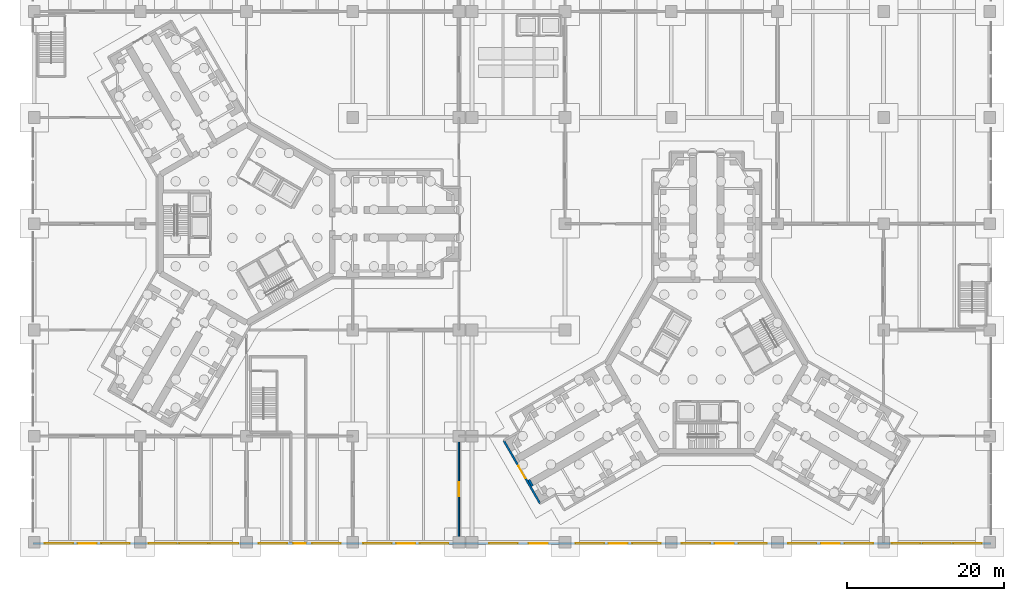
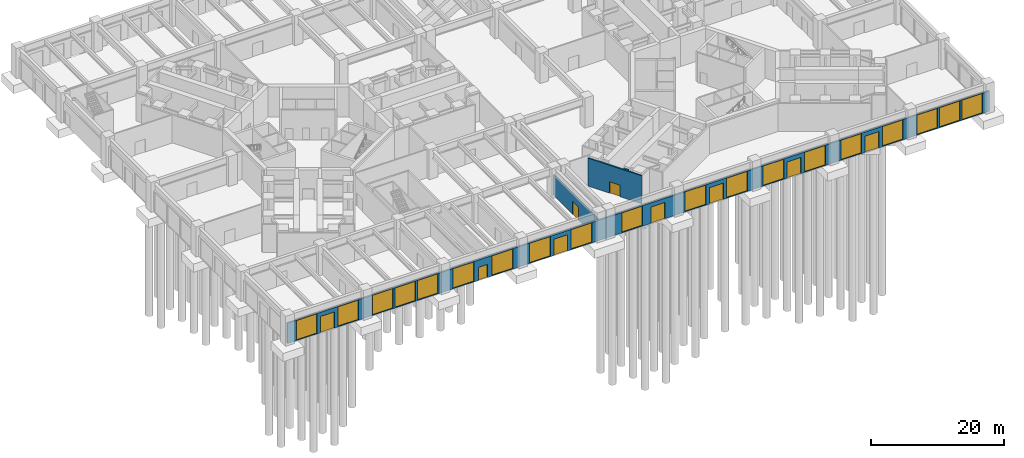
# One storey, part 6 of 18: 19 windows, 9 doors, 4 walls, 28 openings.
"""IFC4 building model written with IfcOpenShell, lengths in metres."""

from ifc_helpers import new_model, si_unit, direction, frame, frame_2d, origin, place, context, subcontext, project, spatial, rectangle, extrude, material, layer, layer_set, type_object, element, fill, save


model = new_model("IFC4")

# Units and contexts
model_context = context("Model", 3, precision=1e-05, world=origin(), true_north=direction((0.0, 1.0)))
body_context = subcontext(model_context, "Body", "Model", "MODEL_VIEW")
ifc_project = project(units=[si_unit("LENGTHUNIT", "METRE"), si_unit("AREAUNIT", "SQUARE_METRE"), si_unit("VOLUMEUNIT", "CUBIC_METRE"), si_unit("PLANEANGLEUNIT", "RADIAN"), si_unit("MASSUNIT", "GRAM", prefix="KILO")], contexts=[model_context])

# Site, building, storey
site_placement = place(None, origin())
site = spatial("IfcSite", under=ifc_project, at=site_placement, CompositionType="ELEMENT")
building_placement = place(site_placement, origin())
building = spatial("IfcBuilding", under=site, at=building_placement, Name="Upepo Twin Towers", CompositionType="ELEMENT")
storey_placement = place(building_placement, origin())
storey = spatial("IfcBuildingStorey", under=building, at=storey_placement, Name="L00", CompositionType="ELEMENT", Elevation=0.0)

# Wall
ifc_material_1 = material(Name="Dense concrete blockwork", Category="masonry")
ifc_layer_1 = layer(ifc_material_1, 0.89990234375)
ifc_layer_set_1 = layer_set([ifc_layer_1], Name="Buttress closer 900, blockwork with fire-stopping to the curtain wall")
wall_type_1 = type_object("IfcWallType", Name="Buttress closer 900, blockwork with fire-stopping to the curtain wall", PredefinedType="PARTITIONING", material=ifc_layer_set_1)
wall_1_placement = place(storey_placement, frame((36.252197265625, -32.865478515625, 0.0), z_axis=(0.0, 0.0, 1.0), x_axis=(-0.865778900179, -0.500426713919, 0.0)))
element("IfcWall", 1, at=wall_1_placement, inside=storey, type_object=wall_type_1, Name="T2 L00 wing B buttress closer L", PredefinedType="PARTITIONING", context=body_context, shape_type="SweptSolid", body=[
    extrude(rectangle(XDim=0.300048828125, YDim=0.89990234375, at=frame_2d((0.14990234375, 0.0))), origin(), (0.0, 0.0, 1.0), 5.14990234375),
])

# Wall, opening, door
ifc_material_2 = material(Name="Concrete blockwork", Category="masonry")
ifc_layer_2 = layer(ifc_material_2, 0.199951171875)
ifc_layer_set_2 = layer_set([ifc_layer_2], Name="Podium partition 200 blockwork")
wall_type_2 = type_object("IfcWallType", Name="Podium partition 200 blockwork", PredefinedType="PARTITIONING", material=ifc_layer_set_2)
wall_2_placement = place(storey_placement, frame((27.0, -40.5, 0.0), z_axis=(0.0, 0.0, 1.0), x_axis=(0.0, 1.0, 0.0)))
wall_2 = element("IfcWall", 2, at=wall_2_placement, inside=storey, type_object=wall_type_2, Name="L00 podium wall X40", PredefinedType="PARTITIONING", context=body_context, shape_type="SweptSolid", body=[
    extrude(rectangle(XDim=13.5, YDim=0.199951171875, at=frame_2d((6.75, 0.0))), origin(), (0.0, 0.0, 1.0), 3.75),
])
opening_1_placement = place(wall_2_placement, frame((5.85009765625, 0.0, 0.0)))
opening_1 = element("IfcOpeningElement", 3, at=opening_1_placement, cuts=wall_2, Name="Opening D10", PredefinedType="OPENING", context=body_context, shape_type="SweptSolid", body=[
    extrude(rectangle(XDim=1.800048828125, YDim=2.39990234375, at=frame_2d((0.89990234375, 1.199951171875))), frame((0.0, 0.10986328125, 0.0), z_axis=(0.0, -1.0, 0.0), x_axis=(1.0, 0.0, 0.0)), (0.0, 0.0, 1.0), 0.219970703125),
])
ifc_material_3 = material(Name="Timber doorset", Category="wood")
door_type_1 = type_object("IfcDoorType", Name="Podium double door 1800", OperationType="DOUBLE_DOOR_DOUBLE_SWING", PredefinedType="DOOR", material=ifc_material_3)
door_1_placement = place(opening_1_placement, origin())
door_1 = element("IfcDoor", 4, at=door_1_placement, inside=storey, type_object=door_type_1, Name="L00 students' union cafe door", OperationType="DOUBLE_DOOR_DOUBLE_SWING", OverallHeight=2.39990234375, OverallWidth=1.800048828125, PredefinedType="DOOR", context=body_context, shape_type="SweptSolid", body=[
    extrude(rectangle(XDim=1.800048828125, YDim=2.39990234375, at=frame_2d((0.89990234375, 1.199951171875))), frame((0.0, 0.02490234375, 0.0), z_axis=(0.0, -1.0, 0.0), x_axis=(1.0, 0.0, 0.0)), (0.0, 0.0, 1.0), 0.050048828125),
])
fill(opening_1, door_1)

# Wall, openings, doors, windows
ifc_material_4 = material(Name="Blockwork with anodised aluminium cladding", Category="masonry")
ifc_layer_3 = layer(ifc_material_4, 0.300048828125)
ifc_layer_set_3 = layer_set([ifc_layer_3], Name="Podium street wall 300, pale metal")
wall_type_3 = type_object("IfcWallType", Name="Podium street wall 300, pale metal", PredefinedType="STANDARD", material=ifc_layer_set_3)
wall_3_placement = place(storey_placement, frame((-27.14990234375, -40.64990234375, 0.0), z_axis=(0.0, 0.0, 1.0), x_axis=(1.0, 0.0, 0.0)))
wall_3 = element("IfcWall", 5, at=wall_3_placement, inside=storey, type_object=wall_type_3, Name="Podium street wall S", PredefinedType="STANDARD", context=body_context, shape_type="SweptSolid", body=[
    extrude(rectangle(XDim=121.7998046875, YDim=0.300048828125, at=frame_2d((60.89990234375, 0.0))), origin(), (0.0, 0.0, 1.0), 3.75),
])
opening_2_placement = place(wall_3_placement, frame((1.5, 0.0, 0.10009765625)))
opening_2 = element("IfcOpeningElement", 6, at=opening_2_placement, cuts=wall_3, Name="Opening W1", PredefinedType="OPENING", context=body_context, shape_type="SweptSolid", body=[
    extrude(rectangle(XDim=3.60009765625, YDim=3.60009765625, at=frame_2d((1.800048828125, 1.800048828125))), frame((0.0, 0.159912109375, 0.0), z_axis=(0.0, -1.0, 0.0), x_axis=(1.0, 0.0, 0.0)), (0.0, 0.0, 1.0), 0.320068359375),
])
opening_3_placement = place(wall_3_placement, frame((5.699951171875, 0.0, 0.0)))
opening_3 = element("IfcOpeningElement", 7, at=opening_3_placement, cuts=wall_3, Name="Opening D7", PredefinedType="OPENING", context=body_context, shape_type="SweptSolid", body=[
    extrude(rectangle(XDim=2.39990234375, YDim=3.0, at=frame_2d((1.199951171875, 1.5))), frame((0.0, 0.159912109375, 0.0), z_axis=(0.0, -1.0, 0.0), x_axis=(1.0, 0.0, 0.0)), (0.0, 0.0, 1.0), 0.320068359375),
])
opening_4_placement = place(wall_3_placement, frame((8.699951171875, 0.0, 0.10009765625)))
opening_4 = element("IfcOpeningElement", 8, at=opening_4_placement, cuts=wall_3, Name="Opening W1", PredefinedType="OPENING", context=body_context, shape_type="SweptSolid", body=[
    extrude(rectangle(XDim=3.60009765625, YDim=3.60009765625, at=frame_2d((1.800048828125, 1.800048828125))), frame((0.0, 0.159912109375, 0.0), z_axis=(0.0, -1.0, 0.0), x_axis=(1.0, 0.0, 0.0)), (0.0, 0.0, 1.0), 0.320068359375),
])
opening_5_placement = place(wall_3_placement, frame((14.699951171875, 0.0, 0.10009765625)))
opening_5 = element("IfcOpeningElement", 9, at=opening_5_placement, cuts=wall_3, Name="Opening W1", PredefinedType="OPENING", context=body_context, shape_type="SweptSolid", body=[
    extrude(rectangle(XDim=3.60009765625, YDim=3.60009765625, at=frame_2d((1.800048828125, 1.800048828125))), frame((0.0, 0.159912109375, 0.0), z_axis=(0.0, -1.0, 0.0), x_axis=(1.0, 0.0, 0.0)), (0.0, 0.0, 1.0), 0.320068359375),
])
opening_6_placement = place(wall_3_placement, frame((18.60009765625, 0.0, 0.10009765625)))
opening_6 = element("IfcOpeningElement", 10, at=opening_6_placement, cuts=wall_3, Name="Opening W1", PredefinedType="OPENING", context=body_context, shape_type="SweptSolid", body=[
    extrude(rectangle(XDim=3.60009765625, YDim=3.60009765625, at=frame_2d((1.800048828125, 1.800048828125))), frame((0.0, 0.159912109375, 0.0), z_axis=(0.0, -1.0, 0.0), x_axis=(1.0, 0.0, 0.0)), (0.0, 0.0, 1.0), 0.320068359375),
])
opening_7_placement = place(wall_3_placement, frame((22.5, 0.0, 0.10009765625)))
opening_7 = element("IfcOpeningElement", 11, at=opening_7_placement, cuts=wall_3, Name="Opening W1", PredefinedType="OPENING", context=body_context, shape_type="SweptSolid", body=[
    extrude(rectangle(XDim=3.60009765625, YDim=3.60009765625, at=frame_2d((1.800048828125, 1.800048828125))), frame((0.0, 0.159912109375, 0.0), z_axis=(0.0, -1.0, 0.0), x_axis=(1.0, 0.0, 0.0)), (0.0, 0.0, 1.0), 0.320068359375),
])
opening_8_placement = place(wall_3_placement, frame((28.699951171875, 0.0, 0.10009765625)))
opening_8 = element("IfcOpeningElement", 12, at=opening_8_placement, cuts=wall_3, Name="Opening W1", PredefinedType="OPENING", context=body_context, shape_type="SweptSolid", body=[
    extrude(rectangle(XDim=3.60009765625, YDim=3.60009765625, at=frame_2d((1.800048828125, 1.800048828125))), frame((0.0, 0.159912109375, 0.0), z_axis=(0.0, -1.0, 0.0), x_axis=(1.0, 0.0, 0.0)), (0.0, 0.0, 1.0), 0.320068359375),
])
opening_9_placement = place(wall_3_placement, frame((33.10009765625, 0.0, 0.0)))
opening_9 = element("IfcOpeningElement", 13, at=opening_9_placement, cuts=wall_3, Name="Opening D16", PredefinedType="OPENING", context=body_context, shape_type="SweptSolid", body=[
    extrude(rectangle(XDim=1.60009765625, YDim=2.39990234375, at=frame_2d((0.800048828125, 1.199951171875))), frame((0.0, 0.159912109375, 0.0), z_axis=(0.0, -1.0, 0.0), x_axis=(1.0, 0.0, 0.0)), (0.0, 0.0, 1.0), 0.320068359375),
])
opening_10_placement = place(wall_3_placement, frame((35.5, 0.0, 0.10009765625)))
opening_10 = element("IfcOpeningElement", 14, at=opening_10_placement, cuts=wall_3, Name="Opening W1", PredefinedType="OPENING", context=body_context, shape_type="SweptSolid", body=[
    extrude(rectangle(XDim=3.60009765625, YDim=3.60009765625, at=frame_2d((1.800048828125, 1.800048828125))), frame((0.0, 0.159912109375, 0.0), z_axis=(0.0, -1.0, 0.0), x_axis=(1.0, 0.0, 0.0)), (0.0, 0.0, 1.0), 0.320068359375),
])
opening_11_placement = place(wall_3_placement, frame((42.0, 0.0, 0.10009765625)))
opening_11 = element("IfcOpeningElement", 15, at=opening_11_placement, cuts=wall_3, Name="Opening W1", PredefinedType="OPENING", context=body_context, shape_type="SweptSolid", body=[
    extrude(rectangle(XDim=3.60009765625, YDim=3.60009765625, at=frame_2d((1.800048828125, 1.800048828125))), frame((0.0, 0.159912109375, 0.0), z_axis=(0.0, -1.0, 0.0), x_axis=(1.0, 0.0, 0.0)), (0.0, 0.0, 1.0), 0.320068359375),
])
opening_12_placement = place(wall_3_placement, frame((46.199951171875, 0.0, 0.0)))
opening_12 = element("IfcOpeningElement", 16, at=opening_12_placement, cuts=wall_3, Name="Opening D7", PredefinedType="OPENING", context=body_context, shape_type="SweptSolid", body=[
    extrude(rectangle(XDim=2.39990234375, YDim=3.0, at=frame_2d((1.199951171875, 1.5))), frame((0.0, 0.159912109375, 0.0), z_axis=(0.0, -1.0, 0.0), x_axis=(1.0, 0.0, 0.0)), (0.0, 0.0, 1.0), 0.320068359375),
])
opening_13_placement = place(wall_3_placement, frame((49.199951171875, 0.0, 0.10009765625)))
opening_13 = element("IfcOpeningElement", 17, at=opening_13_placement, cuts=wall_3, Name="Opening W1", PredefinedType="OPENING", context=body_context, shape_type="SweptSolid", body=[
    extrude(rectangle(XDim=3.60009765625, YDim=3.60009765625, at=frame_2d((1.800048828125, 1.800048828125))), frame((0.0, 0.159912109375, 0.0), z_axis=(0.0, -1.0, 0.0), x_axis=(1.0, 0.0, 0.0)), (0.0, 0.0, 1.0), 0.320068359375),
])
opening_14_placement = place(wall_3_placement, frame((58.0, 0.0, 0.10009765625)))
opening_14 = element("IfcOpeningElement", 18, at=opening_14_placement, cuts=wall_3, Name="Opening W1", PredefinedType="OPENING", context=body_context, shape_type="SweptSolid", body=[
    extrude(rectangle(XDim=3.60009765625, YDim=3.60009765625, at=frame_2d((1.800048828125, 1.800048828125))), frame((0.0, 0.159912109375, 0.0), z_axis=(0.0, -1.0, 0.0), x_axis=(1.0, 0.0, 0.0)), (0.0, 0.0, 1.0), 0.320068359375),
])
opening_15_placement = place(wall_3_placement, frame((63.050048828125, 0.0, 0.0)))
opening_15 = element("IfcOpeningElement", 19, at=opening_15_placement, cuts=wall_3, Name="Opening D7", PredefinedType="OPENING", context=body_context, shape_type="SweptSolid", body=[
    extrude(rectangle(XDim=2.39990234375, YDim=3.0, at=frame_2d((1.199951171875, 1.5))), frame((0.0, 0.159912109375, 0.0), z_axis=(0.0, -1.0, 0.0), x_axis=(1.0, 0.0, 0.0)), (0.0, 0.0, 1.0), 0.320068359375),
])
opening_16_placement = place(wall_3_placement, frame((69.0, 0.0, 0.10009765625)))
opening_16 = element("IfcOpeningElement", 20, at=opening_16_placement, cuts=wall_3, Name="Opening W1", PredefinedType="OPENING", context=body_context, shape_type="SweptSolid", body=[
    extrude(rectangle(XDim=3.60009765625, YDim=3.60009765625, at=frame_2d((1.800048828125, 1.800048828125))), frame((0.0, 0.159912109375, 0.0), z_axis=(0.0, -1.0, 0.0), x_axis=(1.0, 0.0, 0.0)), (0.0, 0.0, 1.0), 0.320068359375),
])
opening_17_placement = place(wall_3_placement, frame((73.199951171875, 0.0, 0.0)))
opening_17 = element("IfcOpeningElement", 21, at=opening_17_placement, cuts=wall_3, Name="Opening D7", PredefinedType="OPENING", context=body_context, shape_type="SweptSolid", body=[
    extrude(rectangle(XDim=2.39990234375, YDim=3.0, at=frame_2d((1.199951171875, 1.5))), frame((0.0, 0.159912109375, 0.0), z_axis=(0.0, -1.0, 0.0), x_axis=(1.0, 0.0, 0.0)), (0.0, 0.0, 1.0), 0.320068359375),
])
opening_18_placement = place(wall_3_placement, frame((76.199951171875, 0.0, 0.10009765625)))
opening_18 = element("IfcOpeningElement", 22, at=opening_18_placement, cuts=wall_3, Name="Opening W1", PredefinedType="OPENING", context=body_context, shape_type="SweptSolid", body=[
    extrude(rectangle(XDim=3.60009765625, YDim=3.60009765625, at=frame_2d((1.800048828125, 1.800048828125))), frame((0.0, 0.159912109375, 0.0), z_axis=(0.0, -1.0, 0.0), x_axis=(1.0, 0.0, 0.0)), (0.0, 0.0, 1.0), 0.320068359375),
])
opening_19_placement = place(wall_3_placement, frame((82.5, 0.0, 0.10009765625)))
opening_19 = element("IfcOpeningElement", 23, at=opening_19_placement, cuts=wall_3, Name="Opening W1", PredefinedType="OPENING", context=body_context, shape_type="SweptSolid", body=[
    extrude(rectangle(XDim=3.60009765625, YDim=3.60009765625, at=frame_2d((1.800048828125, 1.800048828125))), frame((0.0, 0.159912109375, 0.0), z_axis=(0.0, -1.0, 0.0), x_axis=(1.0, 0.0, 0.0)), (0.0, 0.0, 1.0), 0.320068359375),
])
opening_20_placement = place(wall_3_placement, frame((86.699951171875, 0.0, 0.0)))
opening_20 = element("IfcOpeningElement", 24, at=opening_20_placement, cuts=wall_3, Name="Opening D7", PredefinedType="OPENING", context=body_context, shape_type="SweptSolid", body=[
    extrude(rectangle(XDim=2.39990234375, YDim=3.0, at=frame_2d((1.199951171875, 1.5))), frame((0.0, 0.159912109375, 0.0), z_axis=(0.0, -1.0, 0.0), x_axis=(1.0, 0.0, 0.0)), (0.0, 0.0, 1.0), 0.320068359375),
])
opening_21_placement = place(wall_3_placement, frame((89.699951171875, 0.0, 0.10009765625)))
opening_21 = element("IfcOpeningElement", 25, at=opening_21_placement, cuts=wall_3, Name="Opening W1", PredefinedType="OPENING", context=body_context, shape_type="SweptSolid", body=[
    extrude(rectangle(XDim=3.60009765625, YDim=3.60009765625, at=frame_2d((1.800048828125, 1.800048828125))), frame((0.0, 0.159912109375, 0.0), z_axis=(0.0, -1.0, 0.0), x_axis=(1.0, 0.0, 0.0)), (0.0, 0.0, 1.0), 0.320068359375),
])
opening_22_placement = place(wall_3_placement, frame((96.0, 0.0, 0.10009765625)))
opening_22 = element("IfcOpeningElement", 26, at=opening_22_placement, cuts=wall_3, Name="Opening W1", PredefinedType="OPENING", context=body_context, shape_type="SweptSolid", body=[
    extrude(rectangle(XDim=3.60009765625, YDim=3.60009765625, at=frame_2d((1.800048828125, 1.800048828125))), frame((0.0, 0.159912109375, 0.0), z_axis=(0.0, -1.0, 0.0), x_axis=(1.0, 0.0, 0.0)), (0.0, 0.0, 1.0), 0.320068359375),
])
opening_23_placement = place(wall_3_placement, frame((100.199951171875, 0.0, 0.0)))
opening_23 = element("IfcOpeningElement", 27, at=opening_23_placement, cuts=wall_3, Name="Opening D7", PredefinedType="OPENING", context=body_context, shape_type="SweptSolid", body=[
    extrude(rectangle(XDim=2.39990234375, YDim=3.0, at=frame_2d((1.199951171875, 1.5))), frame((0.0, 0.159912109375, 0.0), z_axis=(0.0, -1.0, 0.0), x_axis=(1.0, 0.0, 0.0)), (0.0, 0.0, 1.0), 0.320068359375),
])
opening_24_placement = place(wall_3_placement, frame((103.199951171875, 0.0, 0.10009765625)))
opening_24 = element("IfcOpeningElement", 28, at=opening_24_placement, cuts=wall_3, Name="Opening W1", PredefinedType="OPENING", context=body_context, shape_type="SweptSolid", body=[
    extrude(rectangle(XDim=3.60009765625, YDim=3.60009765625, at=frame_2d((1.800048828125, 1.800048828125))), frame((0.0, 0.159912109375, 0.0), z_axis=(0.0, -1.0, 0.0), x_axis=(1.0, 0.0, 0.0)), (0.0, 0.0, 1.0), 0.320068359375),
])
opening_25_placement = place(wall_3_placement, frame((109.199951171875, 0.0, 0.10009765625)))
opening_25 = element("IfcOpeningElement", 29, at=opening_25_placement, cuts=wall_3, Name="Opening W1", PredefinedType="OPENING", context=body_context, shape_type="SweptSolid", body=[
    extrude(rectangle(XDim=3.60009765625, YDim=3.60009765625, at=frame_2d((1.800048828125, 1.800048828125))), frame((0.0, 0.159912109375, 0.0), z_axis=(0.0, -1.0, 0.0), x_axis=(1.0, 0.0, 0.0)), (0.0, 0.0, 1.0), 0.320068359375),
])
opening_26_placement = place(wall_3_placement, frame((113.10009765625, 0.0, 0.10009765625)))
opening_26 = element("IfcOpeningElement", 30, at=opening_26_placement, cuts=wall_3, Name="Opening W1", PredefinedType="OPENING", context=body_context, shape_type="SweptSolid", body=[
    extrude(rectangle(XDim=3.60009765625, YDim=3.60009765625, at=frame_2d((1.800048828125, 1.800048828125))), frame((0.0, 0.159912109375, 0.0), z_axis=(0.0, -1.0, 0.0), x_axis=(1.0, 0.0, 0.0)), (0.0, 0.0, 1.0), 0.320068359375),
])
opening_27_placement = place(wall_3_placement, frame((117.0, 0.0, 0.10009765625)))
opening_27 = element("IfcOpeningElement", 31, at=opening_27_placement, cuts=wall_3, Name="Opening W1", PredefinedType="OPENING", context=body_context, shape_type="SweptSolid", body=[
    extrude(rectangle(XDim=3.60009765625, YDim=3.60009765625, at=frame_2d((1.800048828125, 1.800048828125))), frame((0.0, 0.159912109375, 0.0), z_axis=(0.0, -1.0, 0.0), x_axis=(1.0, 0.0, 0.0)), (0.0, 0.0, 1.0), 0.320068359375),
])
ifc_material_5 = material(Name="Aluminium glazed doorset", Category="aluminium")
door_type_2 = type_object("IfcDoorType", Name="Entrance door 2400 glazed", OperationType="DOUBLE_DOOR_DOUBLE_SWING", PredefinedType="DOOR", material=ifc_material_5)
door_2_placement = place(opening_3_placement, origin())
door_2 = element("IfcDoor", 32, at=door_2_placement, inside=storey, type_object=door_type_2, Name="Entrance door S1", OperationType="DOUBLE_DOOR_DOUBLE_SWING", OverallHeight=3.0, OverallWidth=2.39990234375, PredefinedType="DOOR", context=body_context, shape_type="SweptSolid", body=[
    extrude(rectangle(XDim=2.39990234375, YDim=3.0, at=frame_2d((1.199951171875, 1.5))), frame((0.0, 0.02490234375, 0.0), z_axis=(0.0, -1.0, 0.0), x_axis=(1.0, 0.0, 0.0)), (0.0, 0.0, 1.0), 0.050048828125),
])
fill(opening_3, door_2)
door_3_placement = place(opening_12_placement, origin())
door_3 = element("IfcDoor", 33, at=door_3_placement, inside=storey, type_object=door_type_2, Name="Entrance door S4", OperationType="DOUBLE_DOOR_DOUBLE_SWING", OverallHeight=3.0, OverallWidth=2.39990234375, PredefinedType="DOOR", context=body_context, shape_type="SweptSolid", body=[
    extrude(rectangle(XDim=2.39990234375, YDim=3.0, at=frame_2d((1.199951171875, 1.5))), frame((0.0, 0.02490234375, 0.0), z_axis=(0.0, -1.0, 0.0), x_axis=(1.0, 0.0, 0.0)), (0.0, 0.0, 1.0), 0.050048828125),
])
fill(opening_12, door_3)
door_4_placement = place(opening_15_placement, origin())
door_4 = element("IfcDoor", 34, at=door_4_placement, inside=storey, type_object=door_type_2, Name="Entrance door S5.2", OperationType="DOUBLE_DOOR_DOUBLE_SWING", OverallHeight=3.0, OverallWidth=2.39990234375, PredefinedType="DOOR", context=body_context, shape_type="SweptSolid", body=[
    extrude(rectangle(XDim=2.39990234375, YDim=3.0, at=frame_2d((1.199951171875, 1.5))), frame((0.0, 0.02490234375, 0.0), z_axis=(0.0, -1.0, 0.0), x_axis=(1.0, 0.0, 0.0)), (0.0, 0.0, 1.0), 0.050048828125),
])
fill(opening_15, door_4)
door_5_placement = place(opening_17_placement, origin())
door_5 = element("IfcDoor", 35, at=door_5_placement, inside=storey, type_object=door_type_2, Name="Entrance door S6", OperationType="DOUBLE_DOOR_DOUBLE_SWING", OverallHeight=3.0, OverallWidth=2.39990234375, PredefinedType="DOOR", context=body_context, shape_type="SweptSolid", body=[
    extrude(rectangle(XDim=2.39990234375, YDim=3.0, at=frame_2d((1.199951171875, 1.5))), frame((0.0, 0.02490234375, 0.0), z_axis=(0.0, -1.0, 0.0), x_axis=(1.0, 0.0, 0.0)), (0.0, 0.0, 1.0), 0.050048828125),
])
fill(opening_17, door_5)
door_6_placement = place(opening_20_placement, origin())
door_6 = element("IfcDoor", 36, at=door_6_placement, inside=storey, type_object=door_type_2, Name="Entrance door S7", OperationType="DOUBLE_DOOR_DOUBLE_SWING", OverallHeight=3.0, OverallWidth=2.39990234375, PredefinedType="DOOR", context=body_context, shape_type="SweptSolid", body=[
    extrude(rectangle(XDim=2.39990234375, YDim=3.0, at=frame_2d((1.199951171875, 1.5))), frame((0.0, 0.02490234375, 0.0), z_axis=(0.0, -1.0, 0.0), x_axis=(1.0, 0.0, 0.0)), (0.0, 0.0, 1.0), 0.050048828125),
])
fill(opening_20, door_6)
door_7_placement = place(opening_23_placement, origin())
door_7 = element("IfcDoor", 37, at=door_7_placement, inside=storey, type_object=door_type_2, Name="Entrance door S8", OperationType="DOUBLE_DOOR_DOUBLE_SWING", OverallHeight=3.0, OverallWidth=2.39990234375, PredefinedType="DOOR", context=body_context, shape_type="SweptSolid", body=[
    extrude(rectangle(XDim=2.39990234375, YDim=3.0, at=frame_2d((1.199951171875, 1.5))), frame((0.0, 0.02490234375, 0.0), z_axis=(0.0, -1.0, 0.0), x_axis=(1.0, 0.0, 0.0)), (0.0, 0.0, 1.0), 0.050048828125),
])
fill(opening_23, door_7)
ifc_material_6 = material(Name="Aluminium and clear glass", Category="aluminium")
window_type = type_object("IfcWindowType", Name="Shopfront window 3600x3600", PartitioningType="DOUBLE_PANEL_VERTICAL", PredefinedType="WINDOW", material=ifc_material_6)
window_1_placement = place(opening_2_placement, origin())
window_1 = element("IfcWindow", 38, at=window_1_placement, inside=storey, type_object=window_type, Name="Shopfront window S1.1", OverallHeight=3.60009765625, OverallWidth=3.60009765625, PartitioningType="SINGLE_PANEL", PredefinedType="WINDOW", context=body_context, shape_type="SweptSolid", body=[
    extrude(rectangle(XDim=3.60009765625, YDim=3.60009765625, at=frame_2d((1.800048828125, 1.800048828125))), frame((0.0, 0.030029296875, 0.0), z_axis=(0.0, -1.0, 0.0), x_axis=(1.0, 0.0, 0.0)), (0.0, 0.0, 1.0), 0.06005859375),
])
fill(opening_2, window_1)
window_2_placement = place(opening_4_placement, origin())
window_2 = element("IfcWindow", 39, at=window_2_placement, inside=storey, type_object=window_type, Name="Shopfront window S1.3", OverallHeight=3.60009765625, OverallWidth=3.60009765625, PartitioningType="SINGLE_PANEL", PredefinedType="WINDOW", context=body_context, shape_type="SweptSolid", body=[
    extrude(rectangle(XDim=3.60009765625, YDim=3.60009765625, at=frame_2d((1.800048828125, 1.800048828125))), frame((0.0, 0.030029296875, 0.0), z_axis=(0.0, -1.0, 0.0), x_axis=(1.0, 0.0, 0.0)), (0.0, 0.0, 1.0), 0.06005859375),
])
fill(opening_4, window_2)
window_3_placement = place(opening_5_placement, origin())
window_3 = element("IfcWindow", 40, at=window_3_placement, inside=storey, type_object=window_type, Name="Shopfront window S2.1", OverallHeight=3.60009765625, OverallWidth=3.60009765625, PartitioningType="SINGLE_PANEL", PredefinedType="WINDOW", context=body_context, shape_type="SweptSolid", body=[
    extrude(rectangle(XDim=3.60009765625, YDim=3.60009765625, at=frame_2d((1.800048828125, 1.800048828125))), frame((0.0, 0.030029296875, 0.0), z_axis=(0.0, -1.0, 0.0), x_axis=(1.0, 0.0, 0.0)), (0.0, 0.0, 1.0), 0.06005859375),
])
fill(opening_5, window_3)
window_4_placement = place(opening_6_placement, origin())
window_4 = element("IfcWindow", 41, at=window_4_placement, inside=storey, type_object=window_type, Name="Shopfront window S2.2", OverallHeight=3.60009765625, OverallWidth=3.60009765625, PartitioningType="SINGLE_PANEL", PredefinedType="WINDOW", context=body_context, shape_type="SweptSolid", body=[
    extrude(rectangle(XDim=3.60009765625, YDim=3.60009765625, at=frame_2d((1.800048828125, 1.800048828125))), frame((0.0, 0.030029296875, 0.0), z_axis=(0.0, -1.0, 0.0), x_axis=(1.0, 0.0, 0.0)), (0.0, 0.0, 1.0), 0.06005859375),
])
fill(opening_6, window_4)
window_5_placement = place(opening_7_placement, origin())
window_5 = element("IfcWindow", 42, at=window_5_placement, inside=storey, type_object=window_type, Name="Shopfront window S2.3", OverallHeight=3.60009765625, OverallWidth=3.60009765625, PartitioningType="SINGLE_PANEL", PredefinedType="WINDOW", context=body_context, shape_type="SweptSolid", body=[
    extrude(rectangle(XDim=3.60009765625, YDim=3.60009765625, at=frame_2d((1.800048828125, 1.800048828125))), frame((0.0, 0.030029296875, 0.0), z_axis=(0.0, -1.0, 0.0), x_axis=(1.0, 0.0, 0.0)), (0.0, 0.0, 1.0), 0.06005859375),
])
fill(opening_7, window_5)
window_6_placement = place(opening_8_placement, origin())
window_6 = element("IfcWindow", 43, at=window_6_placement, inside=storey, type_object=window_type, Name="Shopfront window S3.1", OverallHeight=3.60009765625, OverallWidth=3.60009765625, PartitioningType="SINGLE_PANEL", PredefinedType="WINDOW", context=body_context, shape_type="SweptSolid", body=[
    extrude(rectangle(XDim=3.60009765625, YDim=3.60009765625, at=frame_2d((1.800048828125, 1.800048828125))), frame((0.0, 0.030029296875, 0.0), z_axis=(0.0, -1.0, 0.0), x_axis=(1.0, 0.0, 0.0)), (0.0, 0.0, 1.0), 0.06005859375),
])
fill(opening_8, window_6)
window_7_placement = place(opening_10_placement, origin())
window_7 = element("IfcWindow", 44, at=window_7_placement, inside=storey, type_object=window_type, Name="Shopfront window S3.3", OverallHeight=3.60009765625, OverallWidth=3.60009765625, PartitioningType="SINGLE_PANEL", PredefinedType="WINDOW", context=body_context, shape_type="SweptSolid", body=[
    extrude(rectangle(XDim=3.60009765625, YDim=3.60009765625, at=frame_2d((1.800048828125, 1.800048828125))), frame((0.0, 0.030029296875, 0.0), z_axis=(0.0, -1.0, 0.0), x_axis=(1.0, 0.0, 0.0)), (0.0, 0.0, 1.0), 0.06005859375),
])
fill(opening_10, window_7)
window_8_placement = place(opening_11_placement, origin())
window_8 = element("IfcWindow", 45, at=window_8_placement, inside=storey, type_object=window_type, Name="Shopfront window S4.1", OverallHeight=3.60009765625, OverallWidth=3.60009765625, PartitioningType="SINGLE_PANEL", PredefinedType="WINDOW", context=body_context, shape_type="SweptSolid", body=[
    extrude(rectangle(XDim=3.60009765625, YDim=3.60009765625, at=frame_2d((1.800048828125, 1.800048828125))), frame((0.0, 0.030029296875, 0.0), z_axis=(0.0, -1.0, 0.0), x_axis=(1.0, 0.0, 0.0)), (0.0, 0.0, 1.0), 0.06005859375),
])
fill(opening_11, window_8)
window_9_placement = place(opening_13_placement, origin())
window_9 = element("IfcWindow", 46, at=window_9_placement, inside=storey, type_object=window_type, Name="Shopfront window S4.3", OverallHeight=3.60009765625, OverallWidth=3.60009765625, PartitioningType="SINGLE_PANEL", PredefinedType="WINDOW", context=body_context, shape_type="SweptSolid", body=[
    extrude(rectangle(XDim=3.60009765625, YDim=3.60009765625, at=frame_2d((1.800048828125, 1.800048828125))), frame((0.0, 0.030029296875, 0.0), z_axis=(0.0, -1.0, 0.0), x_axis=(1.0, 0.0, 0.0)), (0.0, 0.0, 1.0), 0.06005859375),
])
fill(opening_13, window_9)
window_10_placement = place(opening_14_placement, origin())
window_10 = element("IfcWindow", 47, at=window_10_placement, inside=storey, type_object=window_type, Name="Shopfront window S5.1", OverallHeight=3.60009765625, OverallWidth=3.60009765625, PartitioningType="SINGLE_PANEL", PredefinedType="WINDOW", context=body_context, shape_type="SweptSolid", body=[
    extrude(rectangle(XDim=3.60009765625, YDim=3.60009765625, at=frame_2d((1.800048828125, 1.800048828125))), frame((0.0, 0.030029296875, 0.0), z_axis=(0.0, -1.0, 0.0), x_axis=(1.0, 0.0, 0.0)), (0.0, 0.0, 1.0), 0.06005859375),
])
fill(opening_14, window_10)
window_11_placement = place(opening_16_placement, origin())
window_11 = element("IfcWindow", 48, at=window_11_placement, inside=storey, type_object=window_type, Name="Shopfront window S6.1", OverallHeight=3.60009765625, OverallWidth=3.60009765625, PartitioningType="SINGLE_PANEL", PredefinedType="WINDOW", context=body_context, shape_type="SweptSolid", body=[
    extrude(rectangle(XDim=3.60009765625, YDim=3.60009765625, at=frame_2d((1.800048828125, 1.800048828125))), frame((0.0, 0.030029296875, 0.0), z_axis=(0.0, -1.0, 0.0), x_axis=(1.0, 0.0, 0.0)), (0.0, 0.0, 1.0), 0.06005859375),
])
fill(opening_16, window_11)
window_12_placement = place(opening_18_placement, origin())
window_12 = element("IfcWindow", 49, at=window_12_placement, inside=storey, type_object=window_type, Name="Shopfront window S6.3", OverallHeight=3.60009765625, OverallWidth=3.60009765625, PartitioningType="SINGLE_PANEL", PredefinedType="WINDOW", context=body_context, shape_type="SweptSolid", body=[
    extrude(rectangle(XDim=3.60009765625, YDim=3.60009765625, at=frame_2d((1.800048828125, 1.800048828125))), frame((0.0, 0.030029296875, 0.0), z_axis=(0.0, -1.0, 0.0), x_axis=(1.0, 0.0, 0.0)), (0.0, 0.0, 1.0), 0.06005859375),
])
fill(opening_18, window_12)
window_13_placement = place(opening_19_placement, origin())
window_13 = element("IfcWindow", 50, at=window_13_placement, inside=storey, type_object=window_type, Name="Shopfront window S7.1", OverallHeight=3.60009765625, OverallWidth=3.60009765625, PartitioningType="SINGLE_PANEL", PredefinedType="WINDOW", context=body_context, shape_type="SweptSolid", body=[
    extrude(rectangle(XDim=3.60009765625, YDim=3.60009765625, at=frame_2d((1.800048828125, 1.800048828125))), frame((0.0, 0.030029296875, 0.0), z_axis=(0.0, -1.0, 0.0), x_axis=(1.0, 0.0, 0.0)), (0.0, 0.0, 1.0), 0.06005859375),
])
fill(opening_19, window_13)
window_14_placement = place(opening_21_placement, origin())
window_14 = element("IfcWindow", 51, at=window_14_placement, inside=storey, type_object=window_type, Name="Shopfront window S7.3", OverallHeight=3.60009765625, OverallWidth=3.60009765625, PartitioningType="SINGLE_PANEL", PredefinedType="WINDOW", context=body_context, shape_type="SweptSolid", body=[
    extrude(rectangle(XDim=3.60009765625, YDim=3.60009765625, at=frame_2d((1.800048828125, 1.800048828125))), frame((0.0, 0.030029296875, 0.0), z_axis=(0.0, -1.0, 0.0), x_axis=(1.0, 0.0, 0.0)), (0.0, 0.0, 1.0), 0.06005859375),
])
fill(opening_21, window_14)
window_15_placement = place(opening_22_placement, origin())
window_15 = element("IfcWindow", 52, at=window_15_placement, inside=storey, type_object=window_type, Name="Shopfront window S8.1", OverallHeight=3.60009765625, OverallWidth=3.60009765625, PartitioningType="SINGLE_PANEL", PredefinedType="WINDOW", context=body_context, shape_type="SweptSolid", body=[
    extrude(rectangle(XDim=3.60009765625, YDim=3.60009765625, at=frame_2d((1.800048828125, 1.800048828125))), frame((0.0, 0.030029296875, 0.0), z_axis=(0.0, -1.0, 0.0), x_axis=(1.0, 0.0, 0.0)), (0.0, 0.0, 1.0), 0.06005859375),
])
fill(opening_22, window_15)
window_16_placement = place(opening_24_placement, origin())
window_16 = element("IfcWindow", 53, at=window_16_placement, inside=storey, type_object=window_type, Name="Shopfront window S8.3", OverallHeight=3.60009765625, OverallWidth=3.60009765625, PartitioningType="SINGLE_PANEL", PredefinedType="WINDOW", context=body_context, shape_type="SweptSolid", body=[
    extrude(rectangle(XDim=3.60009765625, YDim=3.60009765625, at=frame_2d((1.800048828125, 1.800048828125))), frame((0.0, 0.030029296875, 0.0), z_axis=(0.0, -1.0, 0.0), x_axis=(1.0, 0.0, 0.0)), (0.0, 0.0, 1.0), 0.06005859375),
])
fill(opening_24, window_16)
window_17_placement = place(opening_25_placement, origin())
window_17 = element("IfcWindow", 54, at=window_17_placement, inside=storey, type_object=window_type, Name="Shopfront window S9.1", OverallHeight=3.60009765625, OverallWidth=3.60009765625, PartitioningType="SINGLE_PANEL", PredefinedType="WINDOW", context=body_context, shape_type="SweptSolid", body=[
    extrude(rectangle(XDim=3.60009765625, YDim=3.60009765625, at=frame_2d((1.800048828125, 1.800048828125))), frame((0.0, 0.030029296875, 0.0), z_axis=(0.0, -1.0, 0.0), x_axis=(1.0, 0.0, 0.0)), (0.0, 0.0, 1.0), 0.06005859375),
])
fill(opening_25, window_17)
window_18_placement = place(opening_26_placement, origin())
window_18 = element("IfcWindow", 55, at=window_18_placement, inside=storey, type_object=window_type, Name="Shopfront window S9.2", OverallHeight=3.60009765625, OverallWidth=3.60009765625, PartitioningType="SINGLE_PANEL", PredefinedType="WINDOW", context=body_context, shape_type="SweptSolid", body=[
    extrude(rectangle(XDim=3.60009765625, YDim=3.60009765625, at=frame_2d((1.800048828125, 1.800048828125))), frame((0.0, 0.030029296875, 0.0), z_axis=(0.0, -1.0, 0.0), x_axis=(1.0, 0.0, 0.0)), (0.0, 0.0, 1.0), 0.06005859375),
])
fill(opening_26, window_18)
window_19_placement = place(opening_27_placement, origin())
window_19 = element("IfcWindow", 56, at=window_19_placement, inside=storey, type_object=window_type, Name="Shopfront window S9.3", OverallHeight=3.60009765625, OverallWidth=3.60009765625, PartitioningType="SINGLE_PANEL", PredefinedType="WINDOW", context=body_context, shape_type="SweptSolid", body=[
    extrude(rectangle(XDim=3.60009765625, YDim=3.60009765625, at=frame_2d((1.800048828125, 1.800048828125))), frame((0.0, 0.030029296875, 0.0), z_axis=(0.0, -1.0, 0.0), x_axis=(1.0, 0.0, 0.0)), (0.0, 0.0, 1.0), 0.06005859375),
])
fill(opening_27, window_19)
ifc_material_7 = material(Name="Aluminium glazed doorset", Category="aluminium")
door_type_3 = type_object("IfcDoorType", Name="Stair final exit door 1600, external", OperationType="DOUBLE_DOOR_DOUBLE_SWING", PredefinedType="DOOR", material=ifc_material_7)
door_8_placement = place(opening_9_placement, origin())
door_8 = element("IfcDoor", 57, at=door_8_placement, inside=storey, type_object=door_type_3, Name="Stair PS3 final exit door", OperationType="DOUBLE_DOOR_DOUBLE_SWING", OverallHeight=2.39990234375, OverallWidth=1.60009765625, PredefinedType="DOOR", context=body_context, shape_type="SweptSolid", body=[
    extrude(rectangle(XDim=1.60009765625, YDim=2.39990234375, at=frame_2d((0.800048828125, 1.199951171875))), frame((0.0, 0.02490234375, 0.0), z_axis=(0.0, -1.0, 0.0), x_axis=(1.0, 0.0, 0.0)), (0.0, 0.0, 1.0), 0.050048828125),
])
fill(opening_9, door_8)

# Wall, opening, door
ifc_material_8 = material(Name="Concrete blockwork", Category="masonry")
ifc_layer_4 = layer(ifc_material_8, 0.25)
ifc_layer_set_4 = layer_set([ifc_layer_4], Name="Tower enclosure wall 250 blockwork")
wall_type_4 = type_object("IfcWallType", Name="Tower enclosure wall 250 blockwork", PredefinedType="STANDARD", material=ifc_layer_set_4)
wall_4_placement = place(storey_placement, frame((37.321533203125, -35.56787109375, 0.0), z_axis=(0.0, 0.0, 1.0), x_axis=(-0.499999662836, 0.866025598446, 0.0)))
wall_4 = element("IfcWall", 58, at=wall_4_placement, inside=storey, type_object=wall_type_4, Name="T2 L00 enclosure wall 10", PredefinedType="STANDARD", context=body_context, shape_type="SweptSolid", body=[
    extrude(rectangle(XDim=9.25, YDim=0.25, at=frame_2d((4.625, 0.0))), origin(), (0.0, 0.0, 1.0), 5.14990234375),
])
opening_28_placement = place(wall_4_placement, frame((3.72509765625, 0.0, 0.0)))
opening_28 = element("IfcOpeningElement", 59, at=opening_28_placement, cuts=wall_4, Name="Opening D2", PredefinedType="OPENING", context=body_context, shape_type="SweptSolid", body=[
    extrude(rectangle(XDim=1.800048828125, YDim=2.10009765625, at=frame_2d((0.89990234375, 1.050048828125))), frame((0.0, 0.135009765625, 0.0), z_axis=(0.0, -1.0, 0.0), x_axis=(1.0, 0.0, 0.0)), (0.0, 0.0, 1.0), 0.27001953125),
])
ifc_material_9 = material(Name="Timber doorset", Category="wood")
door_type_4 = type_object("IfcDoorType", Name="Corridor double door 1800 FD60", OperationType="DOUBLE_DOOR_DOUBLE_SWING", PredefinedType="DOOR", material=ifc_material_9)
door_9_placement = place(opening_28_placement, origin())
door_9 = element("IfcDoor", 60, at=door_9_placement, inside=storey, type_object=door_type_4, Name="T2 L00 wing B podium door", OperationType="DOUBLE_DOOR_DOUBLE_SWING", OverallHeight=2.10009765625, OverallWidth=1.800048828125, PredefinedType="DOOR", context=body_context, shape_type="SweptSolid", body=[
    extrude(rectangle(XDim=1.800048828125, YDim=2.10009765625, at=frame_2d((0.89990234375, 1.050048828125))), frame((0.0, 0.02490234375, 0.0), z_axis=(0.0, -1.0, 0.0), x_axis=(1.0, 0.0, 0.0)), (0.0, 0.0, 1.0), 0.050048828125),
])
fill(opening_28, door_9)

save(model, "model.ifc")
